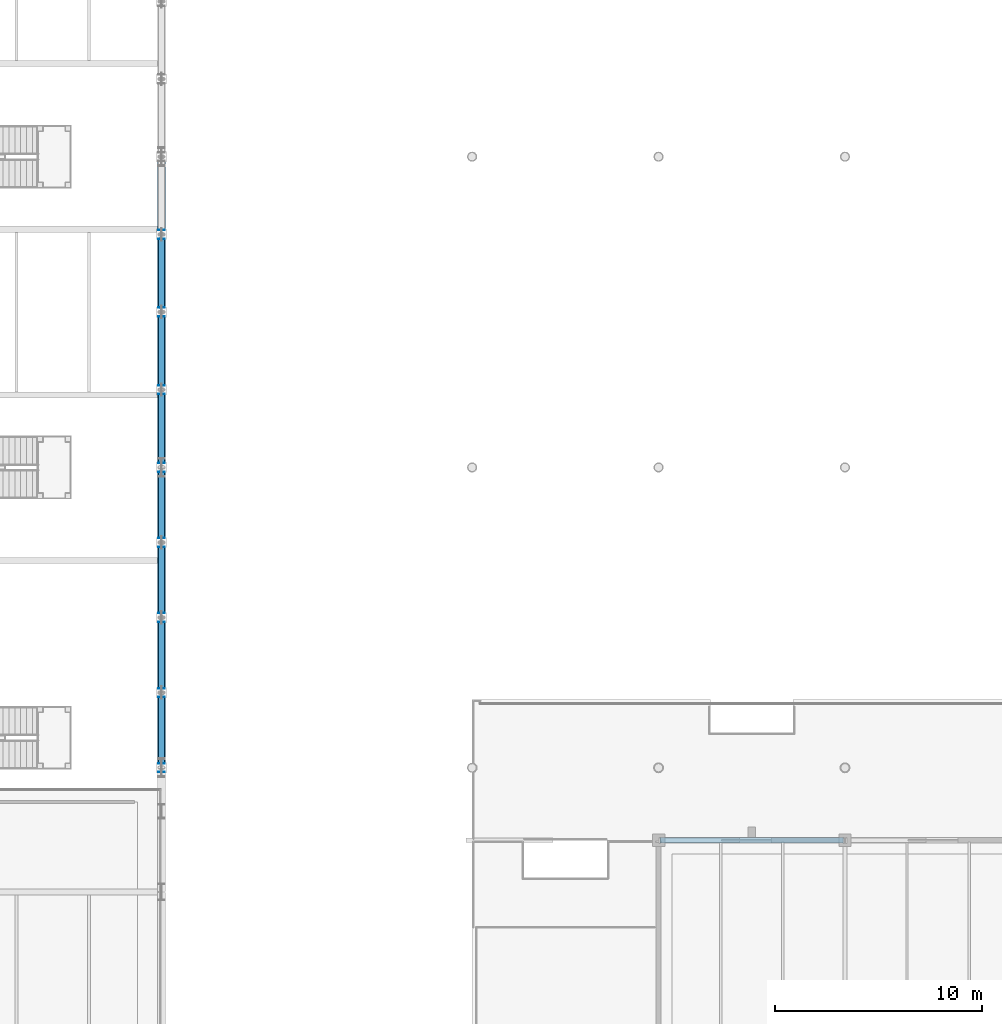
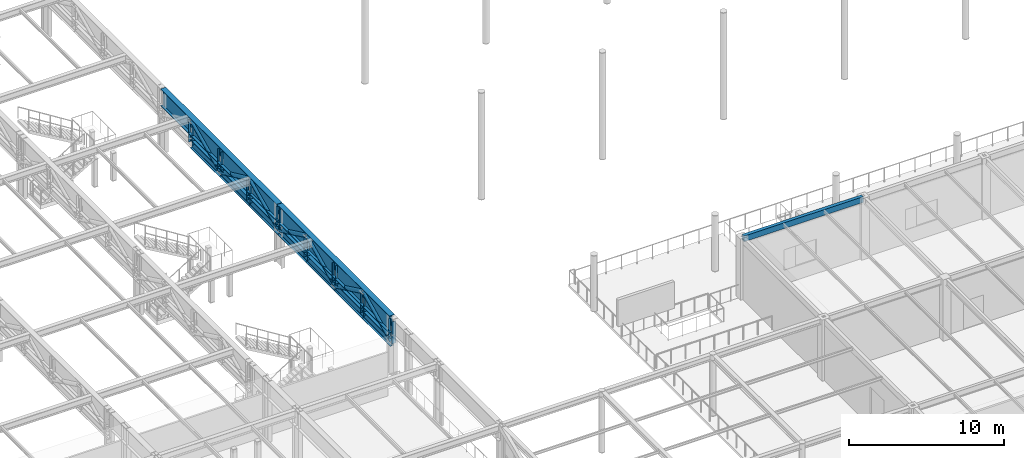
# One storey, part 57 of 143: 22 members, 3 beams.
"""IFC4 building model written with IfcOpenShell, lengths in metres."""

from ifc_helpers import new_model, si_unit, direction, frame, origin, origin_2d, place, context, subcontext, project, spatial, hollow_rectangle, hollow_circle, i_section, extrude, material, material_profile, profile_set, type_object, element, save


model = new_model("IFC4")

# Units and contexts
model_context = context("Model", 3, precision=1e-05, world=origin(), true_north=direction((0.0, 1.0)))
body_context = subcontext(model_context, "Body", "Model", "MODEL_VIEW")
ifc_project = project(units=[si_unit("LENGTHUNIT", "METRE"), si_unit("AREAUNIT", "SQUARE_METRE"), si_unit("VOLUMEUNIT", "CUBIC_METRE"), si_unit("PLANEANGLEUNIT", "RADIAN"), si_unit("MASSUNIT", "GRAM", prefix="KILO")], contexts=[model_context])

# Site, building, storey
site_placement = place(None, origin())
site = spatial("IfcSite", under=ifc_project, at=site_placement, CompositionType="ELEMENT")
building_placement = place(site_placement, origin())
building = spatial("IfcBuilding", under=site, at=building_placement, Name="Marlcrest Central Station", CompositionType="ELEMENT")
storey_placement = place(building_placement, frame((0.0, 0.0, 4.800048828125)))
storey = spatial("IfcBuildingStorey", under=building, at=storey_placement, Name="L01", CompositionType="ELEMENT", Elevation=4.800048828125)

# Beam
ifc_material = material(Name="Steel S355", Category="steel")
ifc_material_profile_1 = material_profile(ifc_material, hollow_rectangle(XDim=0.25, YDim=0.449951171875, WallThickness=0.01611328125, at=origin_2d()), Name="RHS 450x250x16")
ifc_profile_set_1 = profile_set([ifc_material_profile_1], Name="Steel S355")
beam_type_1 = type_object("IfcBeamType", Name="SP-02", PredefinedType="SPANDREL", material=ifc_profile_set_1)
beam_1_placement = place(storey_placement, frame((153.06005859375, 33.0, 4.58984375), z_axis=(1.0, 0.0, 0.0), x_axis=(0.0, 1.0, 0.0)))
element("IfcBeam", 1, at=beam_1_placement, inside=storey, type_object=beam_type_1, Name="bm-SP-02-L01-00880", PredefinedType="SPANDREL", context=body_context, shape_type="SweptSolid", body=[
    extrude(hollow_rectangle(XDim=0.25, YDim=0.449951171875, WallThickness=0.01611328125, at=origin_2d()), origin(), (0.0, 0.0, 1.0), 8.8798828125),
])

# Members
ifc_material_profile_2 = material_profile(ifc_material, i_section(OverallWidth=0.300048828125, OverallDepth=0.64990234375, WebThickness=0.01611328125, FlangeThickness=0.031005859375, FilletRadius=0.027099609375, at=origin_2d()), Name="HEB 650")
ifc_profile_set_2 = profile_set([ifc_material_profile_2], Name="Steel S355")
member_type_1 = type_object("IfcMemberType", Name="TC-01", PredefinedType="CHORD", material=ifc_profile_set_2)
for number, where, z_axis, x_axis, name in (
    (2, (129.0, 36.5, 2.744873046875), (0.0, 1.0, 0.0), (-1.0, 0.0, 0.0), "mem-TC-01-L01-02315"),
    (3, (129.0, 40.125, 2.744873046875), (0.0, 1.0, 0.0), (-1.0, 0.0, 0.0), "mem-TC-01-L01-02318"),
    (4, (129.0, 43.75, 2.744873046875), (0.0, 1.0, 0.0), (-1.0, 0.0, 0.0), "mem-TC-01-L01-02321"),
    (5, (129.0, 47.375, 2.744873046875), (0.0, 1.0, 0.0), (-1.0, 0.0, 0.0), "mem-TC-01-L01-02324"),
):
    element("IfcMember", number, at=place(storey_placement, frame(where, z_axis=z_axis, x_axis=x_axis)), inside=storey, type_object=member_type_1, Name=name, PredefinedType="CHORD", context=body_context, shape_type="SweptSolid", body=[
        extrude(i_section(OverallWidth=0.300048828125, OverallDepth=0.64990234375, WebThickness=0.01611328125, FlangeThickness=0.031005859375, FilletRadius=0.027099609375, at=origin_2d()), origin(), (0.0, 0.0, 1.0), 3.625),
    ])
for number, where, z_axis, x_axis, name in (
    (6, (129.0, 51.0, 2.744873046875), (0.0, 1.0, 0.0), (-1.0, 0.0, 0.0), "mem-TC-01-L01-02327"),
    (7, (129.0, 54.75, 2.744873046875), (0.0, 1.0, 0.0), (-1.0, 0.0, 0.0), "mem-TC-01-L01-02330"),
    (8, (129.0, 58.5, 2.744873046875), (0.0, 1.0, 0.0), (-1.0, 0.0, 0.0), "mem-TC-01-L01-02333"),
):
    element("IfcMember", number, at=place(storey_placement, frame(where, z_axis=z_axis, x_axis=x_axis)), inside=storey, type_object=member_type_1, Name=name, PredefinedType="CHORD", context=body_context, shape_type="SweptSolid", body=[
        extrude(i_section(OverallWidth=0.300048828125, OverallDepth=0.64990234375, WebThickness=0.01611328125, FlangeThickness=0.031005859375, FilletRadius=0.027099609375, at=origin_2d()), origin(), (0.0, 0.0, 1.0), 3.75),
    ])
ifc_material_profile_3 = material_profile(ifc_material, hollow_circle(Radius=0.161865234375, WallThickness=0.01611328125, at=origin_2d()), Name="CHS 323.9x16")
ifc_profile_set_3 = profile_set([ifc_material_profile_3], Name="Steel S355")
member_type_2 = type_object("IfcMemberType", Name="TD-01", PredefinedType="BRACE", material=ifc_profile_set_3)
for number, where, z_axis, x_axis, name in (
    (9, (129.0, 36.5, 2.744873046875), (0.0, 0.900551636365, 0.434749065831), (-1.0, 0.0, 0.0), "mem-TD-01-L01-02317"),
    (10, (129.0, 40.125, 4.494873046875), (0.0, 0.900551636365, -0.434749065831), (-1.0, 0.0, 0.0), "mem-TD-01-L01-02320"),
    (11, (129.0, 43.75, 2.744873046875), (0.0, 0.900551636365, 0.434749065831), (-1.0, 0.0, 0.0), "mem-TD-01-L01-02323"),
    (12, (129.0, 47.375, 4.494873046875), (0.0, 0.900551636365, -0.434749065831), (-1.0, 0.0, 0.0), "mem-TD-01-L01-02326"),
):
    element("IfcMember", number, at=place(storey_placement, frame(where, z_axis=z_axis, x_axis=x_axis)), inside=storey, type_object=member_type_2, Name=name, PredefinedType="BRACE", context=body_context, shape_type="SweptSolid", body=[
        extrude(hollow_circle(Radius=0.161865234375, WallThickness=0.01611328125, at=origin_2d()), origin(), (0.0, 0.0, 1.0), 4.025390625),
    ])
for number, where, z_axis, x_axis, name in (
    (13, (129.0, 51.0, 2.744873046875), (0.0, 0.906183139995, 0.422885465331), (-1.0, 0.0, 0.0), "mem-TD-01-L01-02329"),
    (14, (129.0, 54.75, 4.494873046875), (0.0, 0.906183139995, -0.422885465331), (-1.0, 0.0, 0.0), "mem-TD-01-L01-02332"),
    (15, (129.0, 58.5, 2.744873046875), (0.0, 0.906183139995, 0.422885465331), (-1.0, 0.0, 0.0), "mem-TD-01-L01-02335"),
):
    element("IfcMember", number, at=place(storey_placement, frame(where, z_axis=z_axis, x_axis=x_axis)), inside=storey, type_object=member_type_2, Name=name, PredefinedType="BRACE", context=body_context, shape_type="SweptSolid", body=[
        extrude(hollow_circle(Radius=0.161865234375, WallThickness=0.01611328125, at=origin_2d()), origin(), (0.0, 0.0, 1.0), 4.13818359375),
    ])

# Beams
ifc_material_profile_4 = material_profile(ifc_material, i_section(OverallWidth=0.39990234375, OverallDepth=1.35009765625, WebThickness=0.02197265625, FlangeThickness=0.034912109375, at=origin_2d()), Name="PG 1350x400")
ifc_profile_set_4 = profile_set([ifc_material_profile_4], Name="Steel S355")
beam_type_2 = type_object("IfcBeamType", Name="TG-01", PredefinedType="USERDEFINED", material=ifc_profile_set_4)
beam_2_placement = place(storey_placement, frame((129.0, 36.52001953125, 4.139892578125), z_axis=(0.0, 1.0, 0.0), x_axis=(-1.0, 0.0, 0.0)))
element("IfcBeam", 16, at=beam_2_placement, inside=storey, type_object=beam_type_2, Name="bm-TG-01-L01-01159", ObjectType="TRANSFER_GIRDER", PredefinedType="USERDEFINED", context=body_context, shape_type="SweptSolid", body=[
    extrude(i_section(OverallWidth=0.39990234375, OverallDepth=1.35009765625, WebThickness=0.02197265625, FlangeThickness=0.034912109375, at=origin_2d()), origin(), (0.0, 0.0, 1.0), 14.4599609375),
])
beam_3_placement = place(storey_placement, frame((129.0, 51.02001953125, 4.139892578125), z_axis=(0.0, 1.0, 0.0), x_axis=(-1.0, 0.0, 0.0)))
element("IfcBeam", 17, at=beam_3_placement, inside=storey, type_object=beam_type_2, Name="bm-TG-01-L01-01160", ObjectType="TRANSFER_GIRDER", PredefinedType="USERDEFINED", context=body_context, shape_type="SweptSolid", body=[
    extrude(i_section(OverallWidth=0.39990234375, OverallDepth=1.35009765625, WebThickness=0.02197265625, FlangeThickness=0.034912109375, at=origin_2d()), origin(), (0.0, 0.0, 1.0), 14.9599609375),
])

# Members
ifc_material_profile_5 = material_profile(ifc_material, i_section(OverallWidth=0.300048828125, OverallDepth=0.449951171875, WebThickness=0.013916015625, FlangeThickness=0.02587890625, FilletRadius=0.027099609375, at=origin_2d()), Name="HEB 450")
ifc_profile_set_5 = profile_set([ifc_material_profile_5], Name="Steel S355")
member_type_3 = type_object("IfcMemberType", Name="TP-01", PredefinedType="POST", material=ifc_profile_set_5)
for number, where, z_axis, x_axis, name in (
    (18, (129.0, 36.5, 2.744873046875), (0.0, 0.0, 1.0), (1.0, 0.0, 0.0), "mem-TP-01-L01-02316"),
    (19, (129.0, 40.125, 2.744873046875), (0.0, 0.0, 1.0), (1.0, 0.0, 0.0), "mem-TP-01-L01-02319"),
    (20, (129.0, 43.75, 2.744873046875), (0.0, 0.0, 1.0), (1.0, 0.0, 0.0), "mem-TP-01-L01-02322"),
    (21, (129.0, 47.375, 2.744873046875), (0.0, 0.0, 1.0), (1.0, 0.0, 0.0), "mem-TP-01-L01-02325"),
    (22, (129.0, 51.0, 2.744873046875), (0.0, 0.0, 1.0), (1.0, 0.0, 0.0), "mem-TP-01-L01-02328"),
    (23, (129.0, 54.75, 2.744873046875), (0.0, 0.0, 1.0), (1.0, 0.0, 0.0), "mem-TP-01-L01-02331"),
    (24, (129.0, 58.5, 2.744873046875), (0.0, 0.0, 1.0), (1.0, 0.0, 0.0), "mem-TP-01-L01-02334"),
    (25, (129.0, 62.25, 2.744873046875), (0.0, 0.0, 1.0), (1.0, 0.0, 0.0), "mem-TP-01-L01-02337"),
):
    element("IfcMember", number, at=place(storey_placement, frame(where, z_axis=z_axis, x_axis=x_axis)), inside=storey, type_object=member_type_3, Name=name, PredefinedType="POST", context=body_context, shape_type="SweptSolid", body=[
        extrude(i_section(OverallWidth=0.300048828125, OverallDepth=0.449951171875, WebThickness=0.013916015625, FlangeThickness=0.02587890625, FilletRadius=0.027099609375, at=origin_2d()), origin(), (0.0, 0.0, 1.0), 1.75),
    ])

save(model, "model.ifc")
